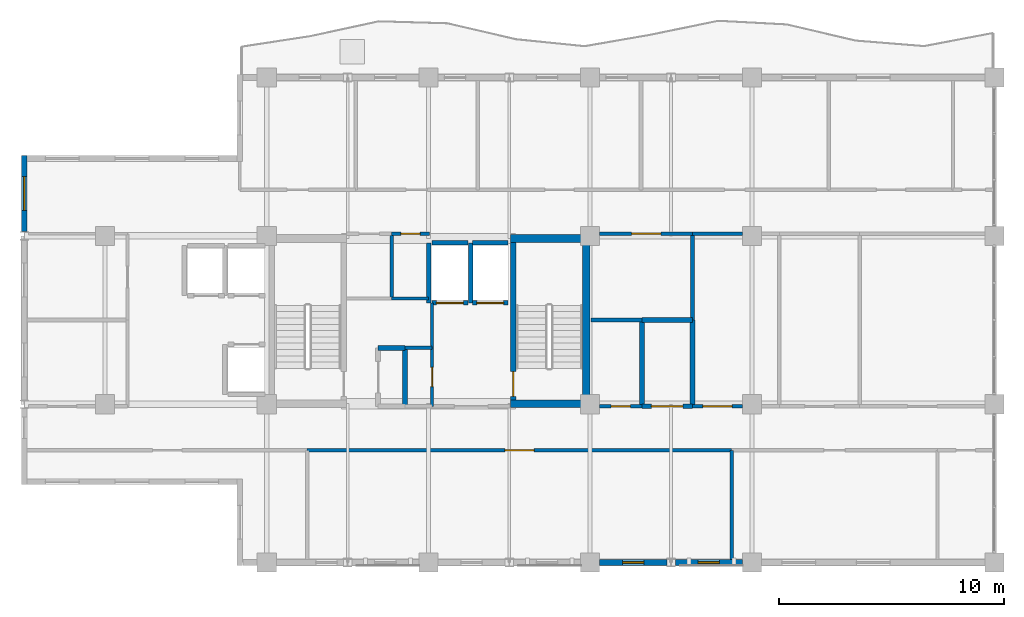
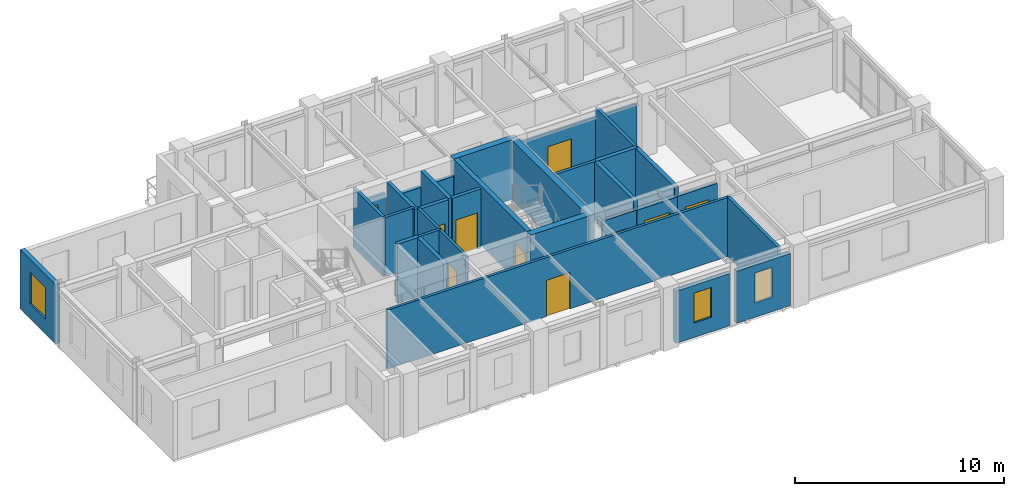
# One storey, part 7 of 10: 33 walls, 10 doors, 3 windows, 13 openings.
"""IFC4 building model written with IfcOpenShell, lengths in metres."""

from ifc_helpers import new_model, si_unit, direction, frame, frame_2d, origin, place, context, subcontext, project, spatial, rectangle, extrude, material, layer, layer_set, type_object, element, fill, save


model = new_model("IFC4")

# Units and contexts
model_context = context("Model", 3, precision=1e-05, world=origin(), true_north=direction((0.0, 1.0)))
body_context = subcontext(model_context, "Body", "Model", "MODEL_VIEW")
ifc_project = project(units=[si_unit("LENGTHUNIT", "METRE"), si_unit("AREAUNIT", "SQUARE_METRE"), si_unit("VOLUMEUNIT", "CUBIC_METRE"), si_unit("PLANEANGLEUNIT", "RADIAN"), si_unit("MASSUNIT", "GRAM", prefix="KILO")], contexts=[model_context])

# Site, building, storey
site_placement = place(None, origin())
site = spatial("IfcSite", under=ifc_project, at=site_placement, CompositionType="ELEMENT")
building_placement = place(site_placement, origin())
building = spatial("IfcBuilding", under=site, at=building_placement, Name="Kaliganga Portal Commons", CompositionType="ELEMENT")
storey_placement = place(building_placement, frame((0.0, 0.0, 279.5)))
storey = spatial("IfcBuildingStorey", under=building, at=storey_placement, Name="L72", CompositionType="ELEMENT", Elevation=279.5)

# Walls
ifc_material_1 = material(Name="Concrete C50/60", Category="concrete")
ifc_layer_1 = layer(ifc_material_1, 0.35009765625)
ifc_layer_set_1 = layer_set([ifc_layer_1], Name="Concrete C50/60")
wall_type_1 = type_object("IfcWallType", Name="WL-CORE-350", PredefinedType="SHEAR", material=ifc_layer_set_1)
wall_1_placement = place(storey_placement, frame((28.625, 28.5, 0.0), z_axis=(0.0, 0.0, 1.0), x_axis=(0.0, 1.0, 0.0)))
element("IfcWall", 1, at=wall_1_placement, inside=storey, type_object=wall_type_1, Name="Core A East Shear Wall L72", PredefinedType="SHEAR", context=body_context, shape_type="SweptSolid", body=[
    extrude(rectangle(XDim=7.699951171875, YDim=0.35009765625, at=frame_2d((3.85009765625, 0.0))), origin(), (0.0, 0.0, 1.0), 3.47509765625),
])
for number, where, z_axis, x_axis, name in (
    (2, (25.25, 28.675048828125, 0.0), (0.0, 0.0, 1.0), (1.0, 0.0, 0.0), "Core A S-East Shear Wall L72"),
    (3, (25.25, 36.02490234375, 0.0), (0.0, 0.0, 1.0), (1.0, 0.0, 0.0), "Core A N-East Shear Wall L72"),
):
    element("IfcWall", number, at=place(storey_placement, frame(where, z_axis=z_axis, x_axis=x_axis)), inside=storey, type_object=wall_type_1, Name=name, PredefinedType="SHEAR", context=body_context, shape_type="SweptSolid", body=[
        extrude(rectangle(XDim=3.199951171875, YDim=0.35009765625, at=frame_2d((1.60009765625, 0.0))), origin(), (0.0, 0.0, 1.0), 3.47509765625),
    ])

# Wall, opening, window
ifc_material_2 = material(Name="Insulated Aluminium-Clad Spandrel Assembly", Category="aluminium")
ifc_layer_2 = layer(ifc_material_2, 0.260009765625)
ifc_layer_set_2 = layer_set([ifc_layer_2], Name="Insulated Aluminium-Clad Spandrel Assembly")
wall_type_2 = type_object("IfcWallType", Name="WL-EXT-SPAND-260", PredefinedType="STANDARD", material=ifc_layer_set_2)
wall_2_placement = place(storey_placement, frame((32.2119140625, 21.60009765625, 0.0), z_axis=(0.0, 0.0, 1.0), x_axis=(-1.0, 0.0, 0.0)))
wall_2 = element("IfcWall", 4, at=wall_2_placement, inside=storey, type_object=wall_type_2, Name="Exterior Envelope Wall L72 P1-E00-S6", PredefinedType="STANDARD", context=body_context, shape_type="SweptSolid", body=[
    extrude(rectangle(XDim=2.98583984375, YDim=0.260009765625, at=frame_2d((1.492919921875, 0.0))), origin(), (0.0, 0.0, 1.0), 3.054931640625),
])
opening_1_placement = place(wall_2_placement, frame((1.01806640625, 0.0, 0.85009765625)))
opening_1 = element("IfcOpeningElement", 5, at=opening_1_placement, cuts=wall_2, Name="Opening W-04", PredefinedType="OPENING", context=body_context, shape_type="SweptSolid", body=[
    extrude(rectangle(XDim=0.949951171875, YDim=1.75, at=frame_2d((0.47509765625, 0.875))), frame((0.0, 0.14013671875, 0.0), z_axis=(0.0, -1.0, 0.0), x_axis=(1.0, 0.0, 0.0)), (0.0, 0.0, 1.0), 0.280029296875),
])
ifc_material_3 = material(Name="Thermally Broken Aluminium and Low-E Double Glazing", Category="aluminium")
window_type_1 = type_object("IfcWindowType", Name="WIN-NARROW-950", PartitioningType="SINGLE_PANEL", PredefinedType="WINDOW", material=ifc_material_3)
window_1_placement = place(opening_1_placement, origin())
window_1 = element("IfcWindow", 6, at=window_1_placement, inside=storey, type_object=window_type_1, Name="Facade Window L72-P1E00S6-00", OverallHeight=1.75, OverallWidth=0.949951171875, PartitioningType="SINGLE_PANEL", PredefinedType="WINDOW", context=body_context, shape_type="SweptSolid", body=[
    extrude(rectangle(XDim=0.949951171875, YDim=1.75, at=frame_2d((0.47509765625, 0.875))), frame((0.0, 0.030029296875, 0.0), z_axis=(0.0, -1.0, 0.0), x_axis=(1.0, 0.0, 0.0)), (0.0, 0.0, 1.0), 0.06005859375),
])
fill(opening_1, window_1)

wall_3_placement = place(storey_placement, frame((35.573974609375, 21.60009765625, 0.0), z_axis=(0.0, 0.0, 1.0), x_axis=(-1.0, 0.0, 0.0)))
wall_3 = element("IfcWall", 7, at=wall_3_placement, inside=storey, type_object=wall_type_2, Name="Exterior Envelope Wall L72 P1-E00-S7", PredefinedType="STANDARD", context=body_context, shape_type="SweptSolid", body=[
    extrude(rectangle(XDim=2.986083984375, YDim=0.260009765625, at=frame_2d((1.4931640625, 0.0))), origin(), (0.0, 0.0, 1.0), 3.054931640625),
])
opening_2_placement = place(wall_3_placement, frame((1.01806640625, 0.0, 0.85009765625)))
opening_2 = element("IfcOpeningElement", 8, at=opening_2_placement, cuts=wall_3, Name="Opening W-04", PredefinedType="OPENING", context=body_context, shape_type="SweptSolid", body=[
    extrude(rectangle(XDim=0.949951171875, YDim=1.75, at=frame_2d((0.47509765625, 0.875))), frame((0.0, 0.14013671875, 0.0), z_axis=(0.0, -1.0, 0.0), x_axis=(1.0, 0.0, 0.0)), (0.0, 0.0, 1.0), 0.280029296875),
])
window_2_placement = place(opening_2_placement, origin())
window_2 = element("IfcWindow", 9, at=window_2_placement, inside=storey, type_object=window_type_1, Name="Facade Window L72-P1E00S7-00", OverallHeight=1.75, OverallWidth=0.949951171875, PartitioningType="SINGLE_PANEL", PredefinedType="WINDOW", context=body_context, shape_type="SweptSolid", body=[
    extrude(rectangle(XDim=0.949951171875, YDim=1.75, at=frame_2d((0.47509765625, 0.875))), frame((0.0, 0.030029296875, 0.0), z_axis=(0.0, -1.0, 0.0), x_axis=(1.0, 0.0, 0.0)), (0.0, 0.0, 1.0), 0.06005859375),
])
fill(opening_2, window_2)

wall_4_placement = place(storey_placement, frame((3.60009765625, 36.3369140625, 0.0), z_axis=(0.0, 0.0, 1.0), x_axis=(0.0, 1.0, 0.0)))
wall_4 = element("IfcWall", 10, at=wall_4_placement, inside=storey, type_object=wall_type_2, Name="Exterior Envelope Wall L72 P1-E05-S1", PredefinedType="STANDARD", context=body_context, shape_type="SweptSolid", body=[
    extrude(rectangle(XDim=3.39306640625, YDim=0.260009765625, at=frame_2d((1.696533203125, 0.0))), origin(), (0.0, 0.0, 1.0), 3.455078125),
])
opening_3_placement = place(wall_4_placement, frame((0.946533203125, 0.0, 0.85009765625)))
opening_3 = element("IfcOpeningElement", 11, at=opening_3_placement, cuts=wall_4, Name="Opening W-02", PredefinedType="OPENING", context=body_context, shape_type="SweptSolid", body=[
    extrude(rectangle(XDim=1.5, YDim=1.85009765625, at=frame_2d((0.75, 0.925048828125))), frame((0.0, 0.14013671875, 0.0), z_axis=(0.0, -1.0, 0.0), x_axis=(1.0, 0.0, 0.0)), (0.0, 0.0, 1.0), 0.280029296875),
])
window_type_2 = type_object("IfcWindowType", Name="WIN-STD-1500", PartitioningType="DOUBLE_PANEL_VERTICAL", PredefinedType="WINDOW", material=ifc_material_3)
window_3_placement = place(opening_3_placement, origin())
window_3 = element("IfcWindow", 12, at=window_3_placement, inside=storey, type_object=window_type_2, Name="Facade Window L72-P1E05S1-00", OverallHeight=1.85009765625, OverallWidth=1.5, PartitioningType="SINGLE_PANEL", PredefinedType="WINDOW", context=body_context, shape_type="SweptSolid", body=[
    extrude(rectangle(XDim=1.5, YDim=1.85009765625, at=frame_2d((0.75, 0.925048828125))), frame((0.0, 0.030029296875, 0.0), z_axis=(0.0, -1.0, 0.0), x_axis=(1.0, 0.0, 0.0)), (0.0, 0.0, 1.0), 0.06005859375),
])
fill(opening_3, window_3)

# Wall, opening, door
ifc_material_4 = material(Name="Fire-Rated Gypsum Board on Steel Stud", Category="steel")
ifc_layer_3 = layer(ifc_material_4, 0.14990234375)
ifc_layer_set_3 = layer_set([ifc_layer_3], Name="Fire-Rated Gypsum Board on Steel Stud")
wall_type_3 = type_object("IfcWallType", Name="WL-PART-CORR-150", PredefinedType="PARTITIONING", material=ifc_layer_set_3)
wall_5_placement = place(storey_placement, frame((16.199951171875, 26.60009765625, 0.0), z_axis=(0.0, 0.0, 1.0), x_axis=(1.0, 0.0, 0.0)))
wall_5 = element("IfcWall", 13, at=wall_5_placement, inside=storey, type_object=wall_type_3, Name="Interior Partition L72-001", PredefinedType="PARTITIONING", context=body_context, shape_type="SweptSolid", body=[
    extrude(rectangle(XDim=18.900146484375, YDim=0.14990234375, at=frame_2d((9.4501953125, 0.0))), origin(), (0.0, 0.0, 1.0), 3.455078125),
])
opening_4_placement = place(wall_5_placement, frame((8.800048828125, 0.0, 0.0)))
opening_4 = element("IfcOpeningElement", 14, at=opening_4_placement, cuts=wall_5, Name="Opening RD-03", PredefinedType="OPENING", context=body_context, shape_type="SweptSolid", body=[
    extrude(rectangle(XDim=1.300048828125, YDim=2.1201171875, at=frame_2d((0.64990234375, 1.06005859375))), frame((0.0, 0.0849609375, 0.0), z_axis=(0.0, -1.0, 0.0), x_axis=(1.0, 0.0, 0.0)), (0.0, 0.0, 1.0), 0.169921875),
])
ifc_material_5 = material(Name="Glazed Timber Seminar Vision Door", Category="wood")
door_type_1 = type_object("IfcDoorType", Name="DR-STUDY-1300", OperationType="DOUBLE_DOOR_SINGLE_SWING", PredefinedType="DOOR", material=ifc_material_5)
door_1_placement = place(opening_4_placement, origin())
door_1 = element("IfcDoor", 15, at=door_1_placement, inside=storey, type_object=door_type_1, Name="Interior Door L72-AS02", OperationType="DOUBLE_DOOR_SINGLE_SWING", OverallHeight=2.1201171875, OverallWidth=1.300048828125, PredefinedType="DOOR", context=body_context, shape_type="SweptSolid", body=[
    extrude(rectangle(XDim=1.300048828125, YDim=2.1201171875, at=frame_2d((0.64990234375, 1.06005859375))), frame((0.0, 0.02490234375, 0.0), z_axis=(0.0, -1.0, 0.0), x_axis=(1.0, 0.0, 0.0)), (0.0, 0.0, 1.0), 0.050048828125),
])
fill(opening_4, door_1)

wall_6_placement = place(storey_placement, frame((29.22509765625, 36.239990234375, 0.0), z_axis=(0.0, 0.0, 1.0), x_axis=(1.0, 0.0, 0.0)))
wall_6 = element("IfcWall", 16, at=wall_6_placement, inside=storey, type_object=wall_type_3, Name="Interior Partition L72-013", PredefinedType="PARTITIONING", context=body_context, shape_type="SweptSolid", body=[
    extrude(rectangle(XDim=4.135009765625, YDim=0.14990234375, at=frame_2d((2.0673828125, 0.0))), origin(), (0.0, 0.0, 1.0), 2.905029296875),
])
opening_5_placement = place(wall_6_placement, frame((1.41748046875, 0.0, 0.0)))
opening_5 = element("IfcOpeningElement", 17, at=opening_5_placement, cuts=wall_6, Name="Opening RD-03", PredefinedType="OPENING", context=body_context, shape_type="SweptSolid", body=[
    extrude(rectangle(XDim=1.300048828125, YDim=2.1201171875, at=frame_2d((0.64990234375, 1.06005859375))), frame((0.0, 0.0849609375, 0.0), z_axis=(0.0, -1.0, 0.0), x_axis=(1.0, 0.0, 0.0)), (0.0, 0.0, 1.0), 0.169921875),
])
door_2_placement = place(opening_5_placement, origin())
door_2 = element("IfcDoor", 18, at=door_2_placement, inside=storey, type_object=door_type_1, Name="Interior Door L72-CSRV_A2", OperationType="DOUBLE_DOOR_SINGLE_SWING", OverallHeight=2.1201171875, OverallWidth=1.300048828125, PredefinedType="DOOR", context=body_context, shape_type="SweptSolid", body=[
    extrude(rectangle(XDim=1.300048828125, YDim=2.1201171875, at=frame_2d((0.64990234375, 1.06005859375))), frame((0.0, 0.02490234375, 0.0), z_axis=(0.0, -1.0, 0.0), x_axis=(1.0, 0.0, 0.0)), (0.0, 0.0, 1.0), 0.050048828125),
])
fill(opening_5, door_2)

wall_7_placement = place(storey_placement, frame((33.360107421875, 28.56005859375, 0.0), z_axis=(0.0, 0.0, 1.0), x_axis=(1.0, 0.0, 0.0)))
wall_7 = element("IfcWall", 19, at=wall_7_placement, inside=storey, type_object=wall_type_3, Name="Interior Partition L72-014", PredefinedType="PARTITIONING", context=body_context, shape_type="SweptSolid", body=[
    extrude(rectangle(XDim=2.21484375, YDim=0.14990234375, at=frame_2d((1.107421875, 0.0))), origin(), (0.0, 0.0, 1.0), 2.905029296875),
])
opening_6_placement = place(wall_7_placement, frame((0.45751953125, 0.0, 0.0)))
opening_6 = element("IfcOpeningElement", 20, at=opening_6_placement, cuts=wall_7, Name="Opening RD-03", PredefinedType="OPENING", context=body_context, shape_type="SweptSolid", body=[
    extrude(rectangle(XDim=1.300048828125, YDim=2.1201171875, at=frame_2d((0.64990234375, 1.06005859375))), frame((0.0, 0.0849609375, 0.0), z_axis=(0.0, -1.0, 0.0), x_axis=(1.0, 0.0, 0.0)), (0.0, 0.0, 1.0), 0.169921875),
])
door_3_placement = place(opening_6_placement, origin())
door_3 = element("IfcDoor", 21, at=door_3_placement, inside=storey, type_object=door_type_1, Name="Interior Door L72-AE01", OperationType="DOUBLE_DOOR_SINGLE_SWING", OverallHeight=2.1201171875, OverallWidth=1.300048828125, PredefinedType="DOOR", context=body_context, shape_type="SweptSolid", body=[
    extrude(rectangle(XDim=1.300048828125, YDim=2.1201171875, at=frame_2d((0.64990234375, 1.06005859375))), frame((0.0, 0.02490234375, 0.0), z_axis=(0.0, -1.0, 0.0), x_axis=(1.0, 0.0, 0.0)), (0.0, 0.0, 1.0), 0.050048828125),
])
fill(opening_6, door_3)

# Wall
wall_8_placement = place(storey_placement, frame((33.360107421875, 36.239990234375, 0.0), z_axis=(0.0, 0.0, 1.0), x_axis=(1.0, 0.0, 0.0)))
element("IfcWall", 22, at=wall_8_placement, inside=storey, type_object=wall_type_3, Name="Interior Partition L72-016", PredefinedType="PARTITIONING", context=body_context, shape_type="SweptSolid", body=[
    extrude(rectangle(XDim=2.21484375, YDim=0.14990234375, at=frame_2d((1.107421875, 0.0))), origin(), (0.0, 0.0, 1.0), 2.905029296875),
])

# Wall, opening, door
wall_9_placement = place(storey_placement, frame((21.760009765625, 28.56005859375, 0.0), z_axis=(0.0, 0.0, 1.0), x_axis=(0.0, 1.0, 0.0)))
wall_9 = element("IfcWall", 23, at=wall_9_placement, inside=storey, type_object=wall_type_3, Name="Interior Partition L72-023", PredefinedType="PARTITIONING", context=body_context, shape_type="SweptSolid", body=[
    extrude(rectangle(XDim=2.599853515625, YDim=0.14990234375, at=frame_2d((1.2998046875, 0.0))), origin(), (0.0, 0.0, 1.0), 3.455078125),
])
opening_7_placement = place(wall_9_placement, frame((0.8701171875, 0.0, 0.0)))
opening_7 = element("IfcOpeningElement", 24, at=opening_7_placement, cuts=wall_9, Name="Opening WD-02", PredefinedType="OPENING", context=body_context, shape_type="SweptSolid", body=[
    extrude(rectangle(XDim=0.860107421875, YDim=2.02001953125, at=frame_2d((0.43017578125, 1.010009765625))), frame((0.0, 0.0849609375, 0.0), z_axis=(0.0, -1.0, 0.0), x_axis=(1.0, 0.0, 0.0)), (0.0, 0.0, 1.0), 0.169921875),
])
ifc_material_6 = material(Name="Fire-Rated Utility Closet Door", Category="wood")
door_type_2 = type_object("IfcDoorType", Name="DR-STORE-800", OperationType="NOTDEFINED", PredefinedType="DOOR", material=ifc_material_6)
door_4_placement = place(opening_7_placement, origin())
door_4 = element("IfcDoor", 25, at=door_4_placement, inside=storey, type_object=door_type_2, Name="Interior Door L72-CIN_A2", OperationType="SINGLE_SWING_RIGHT", OverallHeight=2.02001953125, OverallWidth=0.860107421875, PredefinedType="DOOR", context=body_context, shape_type="SweptSolid", body=[
    extrude(rectangle(XDim=0.860107421875, YDim=2.02001953125, at=frame_2d((0.43017578125, 1.010009765625))), frame((0.0, 0.02490234375, 0.0), z_axis=(0.0, -1.0, 0.0), x_axis=(1.0, 0.0, 0.0)), (0.0, 0.0, 1.0), 0.050048828125),
])
fill(opening_7, door_4)

wall_10_placement = place(storey_placement, frame((29.22509765625, 28.56005859375, 0.0), z_axis=(0.0, 0.0, 1.0), x_axis=(1.0, 0.0, 0.0)))
wall_10 = element("IfcWall", 26, at=wall_10_placement, inside=storey, type_object=wall_type_3, Name="Interior Partition L72-025", PredefinedType="PARTITIONING", context=body_context, shape_type="SweptSolid", body=[
    extrude(rectangle(XDim=1.875, YDim=0.14990234375, at=frame_2d((0.9375, 0.0))), origin(), (0.0, 0.0, 1.0), 2.905029296875),
])
opening_8_placement = place(wall_10_placement, frame((0.507568359375, 0.0, 0.0)))
opening_8 = element("IfcOpeningElement", 27, at=opening_8_placement, cuts=wall_10, Name="Opening WD-02", PredefinedType="OPENING", context=body_context, shape_type="SweptSolid", body=[
    extrude(rectangle(XDim=0.860107421875, YDim=2.02001953125, at=frame_2d((0.43017578125, 1.010009765625))), frame((0.0, 0.0849609375, 0.0), z_axis=(0.0, -1.0, 0.0), x_axis=(1.0, 0.0, 0.0)), (0.0, 0.0, 1.0), 0.169921875),
])
door_5_placement = place(opening_8_placement, origin())
door_5 = element("IfcDoor", 28, at=door_5_placement, inside=storey, type_object=door_type_2, Name="Interior Door L72-CSRV_A1", OperationType="SINGLE_SWING_RIGHT", OverallHeight=2.02001953125, OverallWidth=0.860107421875, PredefinedType="DOOR", context=body_context, shape_type="SweptSolid", body=[
    extrude(rectangle(XDim=0.860107421875, YDim=2.02001953125, at=frame_2d((0.43017578125, 1.010009765625))), frame((0.0, 0.02490234375, 0.0), z_axis=(0.0, -1.0, 0.0), x_axis=(1.0, 0.0, 0.0)), (0.0, 0.0, 1.0), 0.050048828125),
])
fill(opening_8, door_5)

# Wall
wall_11_placement = place(storey_placement, frame((19.9599609375, 33.360107421875, 0.0), z_axis=(0.0, 0.0, 1.0), x_axis=(1.0, 0.0, 0.0)))
element("IfcWall", 29, at=wall_11_placement, inside=storey, type_object=wall_type_3, Name="Interior Partition L72-030", PredefinedType="PARTITIONING", context=body_context, shape_type="SweptSolid", body=[
    extrude(rectangle(XDim=1.650146484375, YDim=0.14990234375, at=frame_2d((0.8251953125, 0.0))), origin(), (0.0, 0.0, 1.0), 3.455078125),
])

# Wall, opening, door
wall_12_placement = place(storey_placement, frame((19.9599609375, 36.239990234375, 0.0), z_axis=(0.0, 0.0, 1.0), x_axis=(1.0, 0.0, 0.0)))
wall_12 = element("IfcWall", 30, at=wall_12_placement, inside=storey, type_object=wall_type_3, Name="Interior Partition L72-031", PredefinedType="PARTITIONING", context=body_context, shape_type="SweptSolid", body=[
    extrude(rectangle(XDim=1.679931640625, YDim=0.14990234375, at=frame_2d((0.83984375, 0.0))), origin(), (0.0, 0.0, 1.0), 2.554931640625),
])
opening_9_placement = place(wall_12_placement, frame((0.409912109375, 0.0, 0.0)))
opening_9 = element("IfcOpeningElement", 31, at=opening_9_placement, cuts=wall_12, Name="Opening WD-02", PredefinedType="OPENING", context=body_context, shape_type="SweptSolid", body=[
    extrude(rectangle(XDim=0.860107421875, YDim=2.02001953125, at=frame_2d((0.43017578125, 1.010009765625))), frame((0.0, 0.0849609375, 0.0), z_axis=(0.0, -1.0, 0.0), x_axis=(1.0, 0.0, 0.0)), (0.0, 0.0, 1.0), 0.169921875),
])
door_6_placement = place(opening_9_placement, origin())
door_6 = element("IfcDoor", 32, at=door_6_placement, inside=storey, type_object=door_type_2, Name="Interior Door L72-CREC_A2", OperationType="SINGLE_SWING_RIGHT", OverallHeight=2.02001953125, OverallWidth=0.860107421875, PredefinedType="DOOR", context=body_context, shape_type="SweptSolid", body=[
    extrude(rectangle(XDim=0.860107421875, YDim=2.02001953125, at=frame_2d((0.43017578125, 1.010009765625))), frame((0.0, 0.02490234375, 0.0), z_axis=(0.0, -1.0, 0.0), x_axis=(1.0, 0.0, 0.0)), (0.0, 0.0, 1.0), 0.050048828125),
])
fill(opening_9, door_6)

# Walls
wall_13_placement = place(storey_placement, frame((20.56005859375, 31.159912109375, 0.0), z_axis=(0.0, 0.0, 1.0), x_axis=(1.0, 0.0, 0.0)))
element("IfcWall", 33, at=wall_13_placement, inside=storey, type_object=wall_type_3, Name="Interior Partition L72-033", PredefinedType="PARTITIONING", context=body_context, shape_type="SweptSolid", body=[
    extrude(rectangle(XDim=1.199951171875, YDim=0.14990234375, at=frame_2d((0.60009765625, 0.0))), origin(), (0.0, 0.0, 1.0), 3.455078125),
])
wall_14_placement = place(storey_placement, frame((21.760009765625, 31.159912109375, 0.0), z_axis=(0.0, 0.0, 1.0), x_axis=(0.0, 1.0, 0.0)))
element("IfcWall", 34, at=wall_14_placement, inside=storey, type_object=wall_type_3, Name="Interior Partition L72-058", PredefinedType="PARTITIONING", context=body_context, shape_type="SweptSolid", body=[
    extrude(rectangle(XDim=2.0, YDim=0.14990234375, at=frame_2d((1.0, 0.0))), origin(), (0.0, 0.0, 1.0), 3.455078125),
])

# Wall, opening, door
ifc_material_7 = material(Name="Lightweight blockwork masonry", Category="masonry")
ifc_layer_4 = layer(ifc_material_7, 0.215087890625)
ifc_layer_set_4 = layer_set([ifc_layer_4], Name="Lightweight blockwork masonry")
wall_type_4 = type_object("IfcWallType", Name="WL-PART-PLANT-215", PredefinedType="PARTITIONING", material=ifc_layer_set_4)
wall_15_placement = place(storey_placement, frame((31.10009765625, 28.56005859375, 0.0), z_axis=(0.0, 0.0, 1.0), x_axis=(1.0, 0.0, 0.0)))
wall_15 = element("IfcWall", 35, at=wall_15_placement, inside=storey, type_object=wall_type_4, Name="Interior Partition L72-026", PredefinedType="PARTITIONING", context=body_context, shape_type="SweptSolid", body=[
    extrude(rectangle(XDim=2.260009765625, YDim=0.215087890625, at=frame_2d((1.1298828125, 0.0))), origin(), (0.0, 0.0, 1.0), 2.905029296875),
])
opening_10_placement = place(wall_15_placement, frame((0.429931640625, 0.0, 0.0)))
opening_10 = element("IfcOpeningElement", 36, at=opening_10_placement, cuts=wall_15, Name="Opening PD-01", PredefinedType="OPENING", context=body_context, shape_type="SweptSolid", body=[
    extrude(rectangle(XDim=1.39990234375, YDim=2.14990234375, at=frame_2d((0.699951171875, 1.074951171875))), frame((0.0, 0.11767578125, 0.0), z_axis=(0.0, -1.0, 0.0), x_axis=(1.0, 0.0, 0.0)), (0.0, 0.0, 1.0), 0.235107421875),
])
ifc_material_8 = material(Name="Heavy-Duty Steel Acoustic Louvre Fire Door", Category="steel")
door_type_3 = type_object("IfcDoorType", Name="DR-PLANT-1400", OperationType="DOUBLE_DOOR_SINGLE_SWING", PredefinedType="DOOR", material=ifc_material_8)
door_7_placement = place(opening_10_placement, origin())
door_7 = element("IfcDoor", 37, at=door_7_placement, inside=storey, type_object=door_type_3, Name="Interior Door L72-CSRV_A3", OperationType="DOUBLE_DOOR_SINGLE_SWING", OverallHeight=2.14990234375, OverallWidth=1.39990234375, PredefinedType="DOOR", context=body_context, shape_type="SweptSolid", body=[
    extrude(rectangle(XDim=1.39990234375, YDim=2.14990234375, at=frame_2d((0.699951171875, 1.074951171875))), frame((0.0, 0.02490234375, 0.0), z_axis=(0.0, -1.0, 0.0), x_axis=(1.0, 0.0, 0.0)), (0.0, 0.0, 1.0), 0.050048828125),
])
fill(opening_10, door_7)

# Walls
wall_16_placement = place(storey_placement, frame((19.360107421875, 31.159912109375, 0.0), z_axis=(0.0, 0.0, 1.0), x_axis=(1.0, 0.0, 0.0)))
element("IfcWall", 38, at=wall_16_placement, inside=storey, type_object=wall_type_4, Name="Interior Partition L72-035", PredefinedType="PARTITIONING", context=body_context, shape_type="SweptSolid", body=[
    extrude(rectangle(XDim=1.199951171875, YDim=0.215087890625, at=frame_2d((0.60009765625, 0.0))), origin(), (0.0, 0.0, 1.0), 3.455078125),
])
for number, where, z_axis, x_axis, name in (
    (39, (31.10009765625, 28.56005859375, 0.0), (0.0, 0.0, 1.0), (0.0, 1.0, 0.0), "Interior Partition L72-051"),
    (40, (33.360107421875, 28.56005859375, 0.0), (0.0, 0.0, 1.0), (0.0, 1.0, 0.0), "Interior Partition L72-052"),
):
    element("IfcWall", number, at=place(storey_placement, frame(where, z_axis=z_axis, x_axis=x_axis)), inside=storey, type_object=wall_type_4, Name=name, PredefinedType="PARTITIONING", context=body_context, shape_type="SweptSolid", body=[
        extrude(rectangle(XDim=3.83984375, YDim=0.215087890625, at=frame_2d((1.919921875, 0.0))), origin(), (0.0, 0.0, 1.0), 3.455078125),
    ])
wall_17_placement = place(storey_placement, frame((20.56005859375, 28.56005859375, 0.0), z_axis=(0.0, 0.0, 1.0), x_axis=(0.0, 1.0, 0.0)))
element("IfcWall", 41, at=wall_17_placement, inside=storey, type_object=wall_type_4, Name="Interior Partition L72-055", PredefinedType="PARTITIONING", context=body_context, shape_type="SweptSolid", body=[
    extrude(rectangle(XDim=2.599853515625, YDim=0.215087890625, at=frame_2d((1.2998046875, 0.0))), origin(), (0.0, 0.0, 1.0), 3.455078125),
])
wall_18_placement = place(storey_placement, frame((31.10009765625, 32.39990234375, 0.0), z_axis=(0.0, 0.0, 1.0), x_axis=(1.0, 0.0, 0.0)))
element("IfcWall", 42, at=wall_18_placement, inside=storey, type_object=wall_type_4, Name="Interior Partition L72-057", PredefinedType="PARTITIONING", context=body_context, shape_type="SweptSolid", body=[
    extrude(rectangle(XDim=2.260009765625, YDim=0.215087890625, at=frame_2d((1.1298828125, 0.0))), origin(), (0.0, 0.0, 1.0), 3.455078125),
])
ifc_material_9 = material(Name="Twin-Stud Acoustic Gypsum Partition", Category="gypsum")
ifc_layer_5 = layer(ifc_material_9, 0.1650390625)
ifc_layer_set_5 = layer_set([ifc_layer_5], Name="Twin-Stud Acoustic Gypsum Partition")
wall_type_5 = type_object("IfcWallType", Name="WL-PART-UNIT-165", PredefinedType="PARTITIONING", material=ifc_layer_set_5)
wall_19_placement = place(storey_placement, frame((35.10009765625, 21.73193359375, 0.0), z_axis=(0.0, 0.0, 1.0), x_axis=(0.0, 1.0, 0.0)))
element("IfcWall", 43, at=wall_19_placement, inside=storey, type_object=wall_type_5, Name="Interior Partition L72-043", PredefinedType="PARTITIONING", context=body_context, shape_type="SweptSolid", body=[
    extrude(rectangle(XDim=4.8681640625, YDim=0.1650390625, at=frame_2d((2.43408203125, 0.0))), origin(), (0.0, 0.0, 1.0), 3.455078125),
])
wall_20_placement = place(storey_placement, frame((33.360107421875, 32.39990234375, 0.0), z_axis=(0.0, 0.0, 1.0), x_axis=(0.0, 1.0, 0.0)))
element("IfcWall", 44, at=wall_20_placement, inside=storey, type_object=wall_type_5, Name="Interior Partition L72-050", PredefinedType="PARTITIONING", context=body_context, shape_type="SweptSolid", body=[
    extrude(rectangle(XDim=3.840087890625, YDim=0.1650390625, at=frame_2d((1.919921875, 0.0))), origin(), (0.0, 0.0, 1.0), 3.455078125),
])
wall_21_placement = place(storey_placement, frame((19.9599609375, 33.360107421875, 0.0), z_axis=(0.0, 0.0, 1.0), x_axis=(0.0, 1.0, 0.0)))
element("IfcWall", 45, at=wall_21_placement, inside=storey, type_object=wall_type_5, Name="Interior Partition L72-054", PredefinedType="PARTITIONING", context=body_context, shape_type="SweptSolid", body=[
    extrude(rectangle(XDim=2.8798828125, YDim=0.1650390625, at=frame_2d((1.43994140625, 0.0))), origin(), (0.0, 0.0, 1.0), 3.455078125),
])
wall_22_placement = place(storey_placement, frame((28.840087890625, 32.39990234375, 0.0), z_axis=(0.0, 0.0, 1.0), x_axis=(1.0, 0.0, 0.0)))
element("IfcWall", 46, at=wall_22_placement, inside=storey, type_object=wall_type_5, Name="Interior Partition L72-056", PredefinedType="PARTITIONING", context=body_context, shape_type="SweptSolid", body=[
    extrude(rectangle(XDim=2.260009765625, YDim=0.1650390625, at=frame_2d((1.1298828125, 0.0))), origin(), (0.0, 0.0, 1.0), 3.455078125),
])

# Wall, opening, door
ifc_material_10 = material(Name="Fire-Rated Shaftwall Masonry Assembly", Category="masonry")
ifc_layer_6 = layer(ifc_material_10, 0.199951171875)
ifc_layer_set_6 = layer_set([ifc_layer_6], Name="Fire-Rated Shaftwall Masonry Assembly")
wall_type_6 = type_object("IfcWallType", Name="WL-SHAFT-200", PredefinedType="PARTITIONING", material=ifc_layer_set_6)
wall_23_placement = place(storey_placement, frame((21.75, 33.159912109375, 0.0), z_axis=(0.0, 0.0, 1.0), x_axis=(1.0, 0.0, 0.0)))
wall_23 = element("IfcWall", 47, at=wall_23_placement, inside=storey, type_object=wall_type_6, Name="Lift FFL-1 Hoistway Shaft Wall L72-S", PredefinedType="PARTITIONING", context=body_context, shape_type="SweptSolid", body=[
    extrude(rectangle(XDim=1.60009765625, YDim=0.199951171875, at=frame_2d((0.800048828125, 0.0))), origin(), (0.0, 0.0, 1.0), 3.455078125),
])
opening_11_placement = place(wall_23_placement, frame((0.199951171875, 0.0, 0.0)))
opening_11 = element("IfcOpeningElement", 48, at=opening_11_placement, cuts=wall_23, Name="Opening LD-02", PredefinedType="OPENING", context=body_context, shape_type="SweptSolid", body=[
    extrude(rectangle(XDim=1.199951171875, YDim=2.1201171875, at=frame_2d((0.60009765625, 1.06005859375))), frame((0.0, 0.10986328125, 0.0), z_axis=(0.0, -1.0, 0.0), x_axis=(1.0, 0.0, 0.0)), (0.0, 0.0, 1.0), 0.219970703125),
])
ifc_material_11 = material(Name="Brushed Stainless Steel 316 Stretcher Lift Landing Door", Category="steel")
door_type_4 = type_object("IfcDoorType", Name="DR-LIFT-1200", OperationType="SLIDING_TO_RIGHT", PredefinedType="DOOR", material=ifc_material_11)
door_8_placement = place(opening_11_placement, origin())
door_8 = element("IfcDoor", 49, at=door_8_placement, inside=storey, type_object=door_type_4, Name="Lift FFL-1 Sliding Landing Door L72", OperationType="SLIDING_TO_RIGHT", OverallHeight=2.1201171875, OverallWidth=1.199951171875, PredefinedType="DOOR", context=body_context, shape_type="SweptSolid", body=[
    extrude(rectangle(XDim=1.199951171875, YDim=2.1201171875, at=frame_2d((0.60009765625, 1.06005859375))), frame((0.0, 0.02490234375, 0.0), z_axis=(0.0, -1.0, 0.0), x_axis=(1.0, 0.0, 0.0)), (0.0, 0.0, 1.0), 0.050048828125),
])
fill(opening_11, door_8)

# Walls
wall_24_placement = place(storey_placement, frame((21.75, 35.840087890625, 0.0), z_axis=(0.0, 0.0, 1.0), x_axis=(1.0, 0.0, 0.0)))
element("IfcWall", 50, at=wall_24_placement, inside=storey, type_object=wall_type_6, Name="Lift FFL-1 Hoistway Shaft Wall L72-N", PredefinedType="PARTITIONING", context=body_context, shape_type="SweptSolid", body=[
    extrude(rectangle(XDim=1.60009765625, YDim=0.199951171875, at=frame_2d((0.800048828125, 0.0))), origin(), (0.0, 0.0, 1.0), 2.554931640625),
])
for number, where, z_axis, x_axis, name in (
    (51, (21.610107421875, 33.159912109375, 0.0), (0.0, 0.0, 1.0), (0.0, 1.0, 0.0), "Lift FFL-1 Hoistway Shaft Wall L72-W"),
    (52, (23.489990234375, 33.159912109375, 0.0), (0.0, 0.0, 1.0), (0.0, 1.0, 0.0), "Lift FFL-1 Hoistway Shaft Wall L72-E"),
):
    element("IfcWall", number, at=place(storey_placement, frame(where, z_axis=z_axis, x_axis=x_axis)), inside=storey, type_object=wall_type_6, Name=name, PredefinedType="PARTITIONING", context=body_context, shape_type="SweptSolid", body=[
        extrude(rectangle(XDim=2.68017578125, YDim=0.199951171875, at=frame_2d((1.340087890625, 0.0))), origin(), (0.0, 0.0, 1.0), 3.455078125),
    ])

# Wall, opening, door
wall_25_placement = place(storey_placement, frame((23.550048828125, 33.159912109375, 0.0), z_axis=(0.0, 0.0, 1.0), x_axis=(1.0, 0.0, 0.0)))
wall_25 = element("IfcWall", 53, at=wall_25_placement, inside=storey, type_object=wall_type_6, Name="Lift FFL-2 Hoistway Shaft Wall L72-S", PredefinedType="PARTITIONING", context=body_context, shape_type="SweptSolid", body=[
    extrude(rectangle(XDim=1.599853515625, YDim=0.199951171875, at=frame_2d((0.7998046875, 0.0))), origin(), (0.0, 0.0, 1.0), 3.455078125),
])
opening_12_placement = place(wall_25_placement, frame((0.199951171875, 0.0, 0.0)))
opening_12 = element("IfcOpeningElement", 54, at=opening_12_placement, cuts=wall_25, Name="Opening LD-02", PredefinedType="OPENING", context=body_context, shape_type="SweptSolid", body=[
    extrude(rectangle(XDim=1.199951171875, YDim=2.1201171875, at=frame_2d((0.60009765625, 1.06005859375))), frame((0.0, 0.10986328125, 0.0), z_axis=(0.0, -1.0, 0.0), x_axis=(1.0, 0.0, 0.0)), (0.0, 0.0, 1.0), 0.219970703125),
])
door_9_placement = place(opening_12_placement, origin())
door_9 = element("IfcDoor", 55, at=door_9_placement, inside=storey, type_object=door_type_4, Name="Lift FFL-2 Sliding Landing Door L72", OperationType="SLIDING_TO_RIGHT", OverallHeight=2.1201171875, OverallWidth=1.199951171875, PredefinedType="DOOR", context=body_context, shape_type="SweptSolid", body=[
    extrude(rectangle(XDim=1.199951171875, YDim=2.1201171875, at=frame_2d((0.60009765625, 1.06005859375))), frame((0.0, 0.02490234375, 0.0), z_axis=(0.0, -1.0, 0.0), x_axis=(1.0, 0.0, 0.0)), (0.0, 0.0, 1.0), 0.050048828125),
])
fill(opening_12, door_9)

# Wall
wall_26_placement = place(storey_placement, frame((23.550048828125, 35.840087890625, 0.0), z_axis=(0.0, 0.0, 1.0), x_axis=(1.0, 0.0, 0.0)))
element("IfcWall", 56, at=wall_26_placement, inside=storey, type_object=wall_type_6, Name="Lift FFL-2 Hoistway Shaft Wall L72-N", PredefinedType="PARTITIONING", context=body_context, shape_type="SweptSolid", body=[
    extrude(rectangle(XDim=1.599853515625, YDim=0.199951171875, at=frame_2d((0.7998046875, 0.0))), origin(), (0.0, 0.0, 1.0), 2.554931640625),
])

# Wall, opening, door
ifc_layer_7 = layer(ifc_material_1, 0.25)
ifc_layer_set_7 = layer_set([ifc_layer_7], Name="Concrete C50/60")
wall_type_7 = type_object("IfcWallType", Name="WL-STAIR-250", PredefinedType="SHEAR", material=ifc_layer_set_7)
wall_27_placement = place(storey_placement, frame((25.375, 28.85009765625, 0.0), z_axis=(0.0, 0.0, 1.0), x_axis=(0.0, 1.0, 0.0)))
wall_27 = element("IfcWall", 57, at=wall_27_placement, inside=storey, type_object=wall_type_7, Name="Stair A2 Enclosure Shear Wall L72", PredefinedType="SHEAR", context=body_context, shape_type="SweptSolid", body=[
    extrude(rectangle(XDim=7.0, YDim=0.25, at=frame_2d((3.5, 0.0))), origin(), (0.0, 0.0, 1.0), 3.47509765625),
])
opening_13_placement = place(wall_27_placement, frame((0.14990234375, 0.0, 0.0)))
opening_13 = element("IfcOpeningElement", 58, at=opening_13_placement, cuts=wall_27, Name="Opening SD-01", PredefinedType="OPENING", context=body_context, shape_type="SweptSolid", body=[
    extrude(rectangle(XDim=1.10009765625, YDim=2.080078125, at=frame_2d((0.550048828125, 1.0400390625))), frame((0.0, 0.135009765625, 0.0), z_axis=(0.0, -1.0, 0.0), x_axis=(1.0, 0.0, 0.0)), (0.0, 0.0, 1.0), 0.27001953125),
])
ifc_material_12 = material(Name="Galvanized Steel Fire Door Leaf and Frame", Category="steel")
door_type_5 = type_object("IfcDoorType", Name="DR-STAIR-1100", OperationType="NOTDEFINED", PredefinedType="DOOR", material=ifc_material_12)
door_10_placement = place(opening_13_placement, origin())
door_10 = element("IfcDoor", 59, at=door_10_placement, inside=storey, type_object=door_type_5, Name="Protected Stair ST-A2 Fire Door L72", OperationType="SINGLE_SWING_LEFT", OverallHeight=2.080078125, OverallWidth=1.10009765625, PredefinedType="DOOR", context=body_context, shape_type="SweptSolid", body=[
    extrude(rectangle(XDim=1.10009765625, YDim=2.080078125, at=frame_2d((0.550048828125, 1.0400390625))), frame((0.0, 0.02490234375, 0.0), z_axis=(0.0, -1.0, 0.0), x_axis=(1.0, 0.0, 0.0)), (0.0, 0.0, 1.0), 0.050048828125),
])
fill(opening_13, door_10)

save(model, "model.ifc")
